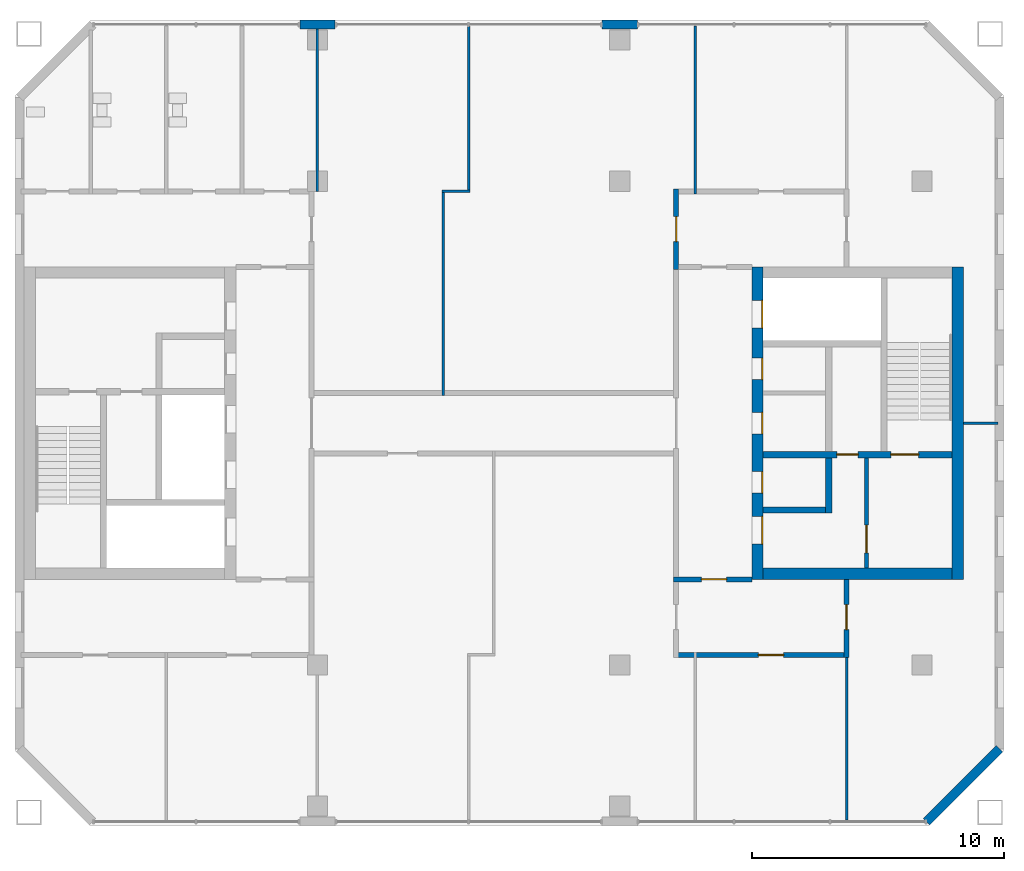
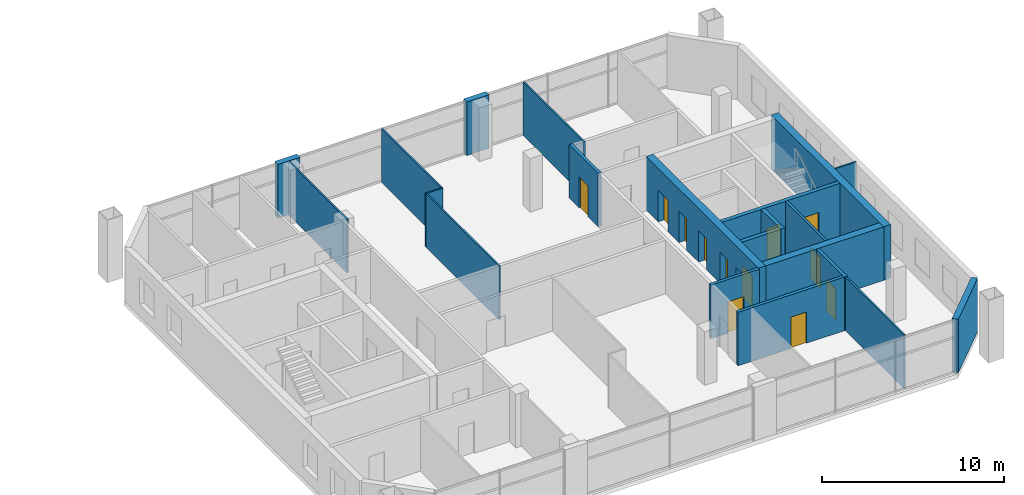
# One storey, part 15 of 19: 21 walls, 12 doors, 12 openings.
"""IFC4 building model written with IfcOpenShell, lengths in metres."""

from ifc_helpers import new_model, si_unit, direction, frame, frame_2d, origin, place, context, subcontext, project, spatial, rectangle, extrude, material, layer, layer_set, type_object, element, fill, save


model = new_model("IFC4")

# Units and contexts
model_context = context("Model", 3, precision=1e-05, world=origin(), true_north=direction((0.0, 1.0)))
body_context = subcontext(model_context, "Body", "Model", "MODEL_VIEW")
ifc_project = project(units=[si_unit("LENGTHUNIT", "METRE"), si_unit("AREAUNIT", "SQUARE_METRE"), si_unit("VOLUMEUNIT", "CUBIC_METRE"), si_unit("PLANEANGLEUNIT", "RADIAN"), si_unit("MASSUNIT", "GRAM", prefix="KILO")], contexts=[model_context])

# Site, building, storey
site_placement = place(None, origin())
site = spatial("IfcSite", under=ifc_project, at=site_placement, CompositionType="ELEMENT")
building_placement = place(site_placement, origin())
building = spatial("IfcBuilding", under=site, at=building_placement, Name="Tuart Gate Housing", CompositionType="ELEMENT")
storey_placement = place(building_placement, frame((0.0, 0.0, 171.60009765625)))
storey = spatial("IfcBuildingStorey", under=building, at=storey_placement, Name="L48", CompositionType="ELEMENT", Elevation=171.60009765625)

# Walls
ifc_material_1 = material(Name="Brick", Category="masonry")
ifc_layer_1 = layer(ifc_material_1, 0.360107421875)
ifc_layer_set_1 = layer_set([ifc_layer_1], Name="Brick pier and spandrel wall 360")
wall_type_1 = type_object("IfcWallType", Name="Brick pier and spandrel wall 360", PredefinedType="STANDARD", material=ifc_layer_set_1)
wall_1_placement = place(storey_placement, frame((167.17529296875, 54.179931640625, 0.0), z_axis=(0.0, 0.0, 1.0), x_axis=(0.707106781187, 0.707106781187, 0.0)))
element("IfcWall", 1, at=wall_1_placement, inside=storey, type_object=wall_type_1, Name="External wall B-SE L48", PredefinedType="STANDARD", context=body_context, shape_type="SweptSolid", body=[
    extrude(rectangle(XDim=4.09375, YDim=0.360107421875, at=frame_2d((2.046875, 0.0))), origin(), (0.0, 0.0, 1.0), 3.599853515625),
])
for number, where, z_axis, x_axis, name in (
    (2, (155.699951171875, 85.820068359375, 0.0), (0.0, 0.0, 1.0), (-1.0, 0.0, 0.0), "External wall B-N L48"),
    (3, (143.699951171875, 85.820068359375, 0.0), (0.0, 0.0, 1.0), (-1.0, 0.0, 0.0), "External wall B-N L48"),
):
    element("IfcWall", number, at=place(storey_placement, frame(where, z_axis=z_axis, x_axis=x_axis)), inside=storey, type_object=wall_type_1, Name=name, PredefinedType="STANDARD", context=body_context, shape_type="SweptSolid", body=[
        extrude(rectangle(XDim=1.39990234375, YDim=0.360107421875, at=frame_2d((0.699951171875, 0.0))), origin(), (0.0, 0.0, 1.0), 3.599853515625),
    ])

# Wall, opening, door
ifc_material_2 = material(Name="Plasterboard partition")
ifc_layer_2 = layer(ifc_material_2, 0.14990234375)
ifc_layer_set_2 = layer_set([ifc_layer_2], Name="Core partition 150")
wall_type_2 = type_object("IfcWallType", Name="Core partition 150", PredefinedType="PARTITIONING", material=ifc_layer_set_2)
wall_2_placement = place(storey_placement, frame((164.7900390625, 68.625, 0.0), z_axis=(0.0, 0.0, 1.0), x_axis=(0.0, -1.0, 0.0)))
wall_2 = element("IfcWall", 4, at=wall_2_placement, inside=storey, type_object=wall_type_2, Name="Core partition BK.7", PredefinedType="PARTITIONING", context=body_context, shape_type="SweptSolid", body=[
    extrude(rectangle(XDim=4.375, YDim=0.14990234375, at=frame_2d((2.1875, 0.0))), origin(), (0.0, 0.0, 1.0), 3.599853515625),
])
opening_1_placement = place(wall_2_placement, frame((2.675048828125, 0.0, 0.0)))
opening_1 = element("IfcOpeningElement", 5, at=opening_1_placement, cuts=wall_2, Name="Opening D267", PredefinedType="OPENING", context=body_context, shape_type="SweptSolid", body=[
    extrude(rectangle(XDim=1.10009765625, YDim=2.10009765625, at=frame_2d((0.550048828125, 1.050048828125))), frame((0.0, 0.0849609375, 0.0), z_axis=(0.0, -1.0, 0.0), x_axis=(1.0, 0.0, 0.0)), (0.0, 0.0, 1.0), 0.169921875),
])
ifc_material_3 = material(Name="Steel fire door", Category="steel")
door_type_1 = type_object("IfcDoorType", Name="Lobby door 1100 x 2100 RH", OperationType="SINGLE_SWING_RIGHT", PredefinedType="DOOR", material=ifc_material_3)
door_1_placement = place(opening_1_placement, origin())
door_1 = element("IfcDoor", 6, at=door_1_placement, inside=storey, type_object=door_type_1, Name="Smoke lobby door BK.KD", OperationType="SINGLE_SWING_RIGHT", OverallHeight=2.10009765625, OverallWidth=1.10009765625, PredefinedType="DOOR", context=body_context, shape_type="SweptSolid", body=[
    extrude(rectangle(XDim=1.10009765625, YDim=2.10009765625, at=frame_2d((0.550048828125, 1.050048828125))), frame((0.0, 0.02490234375, 0.0), z_axis=(0.0, -1.0, 0.0), x_axis=(1.0, 0.0, 0.0)), (0.0, 0.0, 1.0), 0.050048828125),
])
fill(opening_1, door_1)

# Wall, openings, doors
ifc_material_4 = material(Name="Concrete C40", Category="concrete")
ifc_layer_3 = layer(ifc_material_4, 0.25)
ifc_layer_set_3 = layer_set([ifc_layer_3], Name="Core wall 250 C40")
wall_type_3 = type_object("IfcWallType", Name="Core wall 250 C40", PredefinedType="SHEAR", material=ifc_layer_set_3)
wall_3_placement = place(storey_placement, frame((160.68994140625, 68.75, 0.0), z_axis=(0.0, 0.0, 1.0), x_axis=(1.0, 0.0, 0.0)))
wall_3 = element("IfcWall", 7, at=wall_3_placement, inside=storey, type_object=wall_type_3, Name="Core wall BK.3", PredefinedType="SHEAR", context=body_context, shape_type="SweptSolid", body=[
    extrude(rectangle(XDim=7.5, YDim=0.25, at=frame_2d((3.75, 0.0))), origin(), (0.0, 0.0, 1.0), 3.599853515625),
])
opening_2_placement = place(wall_3_placement, frame((5.074951171875, 0.0, 0.0)))
opening_2 = element("IfcOpeningElement", 8, at=opening_2_placement, cuts=wall_3, Name="Opening D266", PredefinedType="OPENING", context=body_context, shape_type="SweptSolid", body=[
    extrude(rectangle(XDim=1.10009765625, YDim=2.10009765625, at=frame_2d((0.550048828125, 1.050048828125))), frame((0.0, 0.135009765625, 0.0), z_axis=(0.0, -1.0, 0.0), x_axis=(1.0, 0.0, 0.0)), (0.0, 0.0, 1.0), 0.27001953125),
])
opening_3_placement = place(wall_3_placement, frame((2.925048828125, 0.0, 0.0)))
opening_3 = element("IfcOpeningElement", 9, at=opening_3_placement, cuts=wall_3, Name="Opening D265", PredefinedType="OPENING", context=body_context, shape_type="SweptSolid", body=[
    extrude(rectangle(XDim=0.85009765625, YDim=2.10009765625, at=frame_2d((0.425048828125, 1.050048828125))), frame((0.0, 0.135009765625, 0.0), z_axis=(0.0, -1.0, 0.0), x_axis=(1.0, 0.0, 0.0)), (0.0, 0.0, 1.0), 0.27001953125),
])
ifc_material_5 = material(Name="Steel fire door", Category="steel")
door_type_2 = type_object("IfcDoorType", Name="Riser door 850 x 2100", OperationType="SINGLE_SWING_LEFT", PredefinedType="DOOR", material=ifc_material_5)
door_2_placement = place(opening_3_placement, origin())
door_2 = element("IfcDoor", 10, at=door_2_placement, inside=storey, type_object=door_type_2, Name="Service room door BK.W1", OperationType="SINGLE_SWING_LEFT", OverallHeight=2.10009765625, OverallWidth=0.85009765625, PredefinedType="DOOR", context=body_context, shape_type="SweptSolid", body=[
    extrude(rectangle(XDim=0.85009765625, YDim=2.10009765625, at=frame_2d((0.425048828125, 1.050048828125))), frame((0.0, 0.02490234375, 0.0), z_axis=(0.0, -1.0, 0.0), x_axis=(1.0, 0.0, 0.0)), (0.0, 0.0, 1.0), 0.050048828125),
])
fill(opening_3, door_2)
ifc_material_6 = material(Name="Steel fire door", Category="steel")
door_type_3 = type_object("IfcDoorType", Name="Stair door 1100 x 2100", OperationType="SINGLE_SWING_LEFT", PredefinedType="DOOR", material=ifc_material_6)
door_3_placement = place(opening_2_placement, origin())
door_3 = element("IfcDoor", 11, at=door_3_placement, inside=storey, type_object=door_type_3, Name="Stair door BK.SD", OperationType="SINGLE_SWING_LEFT", OverallHeight=2.10009765625, OverallWidth=1.10009765625, PredefinedType="DOOR", context=body_context, shape_type="SweptSolid", body=[
    extrude(rectangle(XDim=1.10009765625, YDim=2.10009765625, at=frame_2d((0.550048828125, 1.050048828125))), frame((0.0, 0.02490234375, 0.0), z_axis=(0.0, -1.0, 0.0), x_axis=(1.0, 0.0, 0.0)), (0.0, 0.0, 1.0), 0.050048828125),
])
fill(opening_2, door_3)

# Walls
wall_4_placement = place(storey_placement, frame((160.68994140625, 66.550048828125, 0.0), z_axis=(0.0, 0.0, 1.0), x_axis=(1.0, 0.0, 0.0)))
element("IfcWall", 12, at=wall_4_placement, inside=storey, type_object=wall_type_3, Name="Core wall BK.4", PredefinedType="SHEAR", context=body_context, shape_type="SweptSolid", body=[
    extrude(rectangle(XDim=2.47509765625, YDim=0.25, at=frame_2d((1.237548828125, 0.0))), origin(), (0.0, 0.0, 1.0), 3.599853515625),
])
wall_5_placement = place(storey_placement, frame((163.2900390625, 68.625, 0.0), z_axis=(0.0, 0.0, 1.0), x_axis=(0.0, -1.0, 0.0)))
element("IfcWall", 13, at=wall_5_placement, inside=storey, type_object=wall_type_3, Name="Core wall BK.6", PredefinedType="SHEAR", context=body_context, shape_type="SweptSolid", body=[
    extrude(rectangle(XDim=2.199951171875, YDim=0.25, at=frame_2d((1.10009765625, 0.0))), origin(), (0.0, 0.0, 1.0), 3.599853515625),
])

# Wall, openings, doors
ifc_material_7 = material(Name="Concrete C40", Category="concrete")
ifc_layer_4 = layer(ifc_material_7, 0.449951171875)
ifc_layer_set_4 = layer_set([ifc_layer_4], Name="Core wall 450 C40")
wall_type_4 = type_object("IfcWallType", Name="Core wall 450 C40", PredefinedType="SHEAR", material=ifc_layer_set_4)
wall_6_placement = place(storey_placement, frame((160.465087890625, 76.199951171875, 0.0), z_axis=(0.0, 0.0, 1.0), x_axis=(0.0, -1.0, 0.0)))
wall_6 = element("IfcWall", 14, at=wall_6_placement, inside=storey, type_object=wall_type_4, Name="Core wall BK front", PredefinedType="SHEAR", context=body_context, shape_type="SweptSolid", body=[
    extrude(rectangle(XDim=12.39990234375, YDim=0.449951171875, at=frame_2d((6.199951171875, 0.0))), origin(), (0.0, 0.0, 1.0), 3.599853515625),
])
opening_4_placement = place(wall_6_placement, frame((1.324951171875, 0.0, 0.0)))
opening_4 = element("IfcOpeningElement", 15, at=opening_4_placement, cuts=wall_6, Name="Opening LD-FB2", PredefinedType="OPENING", context=body_context, shape_type="SweptSolid", body=[
    extrude(rectangle(XDim=1.10009765625, YDim=2.10009765625, at=frame_2d((0.550048828125, 1.050048828125))), frame((0.0, 0.23486328125, 0.0), z_axis=(0.0, -1.0, 0.0), x_axis=(1.0, 0.0, 0.0)), (0.0, 0.0, 1.0), 0.469970703125),
])
opening_5_placement = place(wall_6_placement, frame((3.625, 0.0, 0.0)))
opening_5 = element("IfcOpeningElement", 16, at=opening_5_placement, cuts=wall_6, Name="Opening D261", PredefinedType="OPENING", context=body_context, shape_type="SweptSolid", body=[
    extrude(rectangle(XDim=0.85009765625, YDim=2.10009765625, at=frame_2d((0.425048828125, 1.050048828125))), frame((0.0, 0.23486328125, 0.0), z_axis=(0.0, -1.0, 0.0), x_axis=(1.0, 0.0, 0.0)), (0.0, 0.0, 1.0), 0.469970703125),
])
opening_6_placement = place(wall_6_placement, frame((5.77490234375, 0.0, 0.0)))
opening_6 = element("IfcOpeningElement", 17, at=opening_6_placement, cuts=wall_6, Name="Opening D262", PredefinedType="OPENING", context=body_context, shape_type="SweptSolid", body=[
    extrude(rectangle(XDim=0.85009765625, YDim=2.10009765625, at=frame_2d((0.425048828125, 1.050048828125))), frame((0.0, 0.23486328125, 0.0), z_axis=(0.0, -1.0, 0.0), x_axis=(1.0, 0.0, 0.0)), (0.0, 0.0, 1.0), 0.469970703125),
])
opening_7_placement = place(wall_6_placement, frame((9.89990234375, 0.0, 0.0)))
opening_7 = element("IfcOpeningElement", 18, at=opening_7_placement, cuts=wall_6, Name="Opening D260", PredefinedType="OPENING", context=body_context, shape_type="SweptSolid", body=[
    extrude(rectangle(XDim=1.10009765625, YDim=2.10009765625, at=frame_2d((0.550048828125, 1.050048828125))), frame((0.0, 0.23486328125, 0.0), z_axis=(0.0, -1.0, 0.0), x_axis=(1.0, 0.0, 0.0)), (0.0, 0.0, 1.0), 0.469970703125),
])
opening_8_placement = place(wall_6_placement, frame((8.125, 0.0, 0.0)))
opening_8 = element("IfcOpeningElement", 19, at=opening_8_placement, cuts=wall_6, Name="Opening D263", PredefinedType="OPENING", context=body_context, shape_type="SweptSolid", body=[
    extrude(rectangle(XDim=0.85009765625, YDim=2.10009765625, at=frame_2d((0.425048828125, 1.050048828125))), frame((0.0, 0.23486328125, 0.0), z_axis=(0.0, -1.0, 0.0), x_axis=(1.0, 0.0, 0.0)), (0.0, 0.0, 1.0), 0.469970703125),
])
ifc_material_8 = material(Name="Stainless steel", Category="steel")
door_type_4 = type_object("IfcDoorType", Name="Landing door 1100 x 2100", OperationType="DOUBLE_DOOR_SLIDING", PredefinedType="DOOR", material=ifc_material_8)
door_4_placement = place(opening_4_placement, origin())
door_4 = element("IfcDoor", 20, at=door_4_placement, inside=storey, type_object=door_type_4, Name="Lift landing door FB2", OperationType="DOUBLE_DOOR_SLIDING", OverallHeight=2.10009765625, OverallWidth=1.10009765625, PredefinedType="DOOR", context=body_context, shape_type="SweptSolid", body=[
    extrude(rectangle(XDim=1.10009765625, YDim=2.10009765625, at=frame_2d((0.550048828125, 1.050048828125))), frame((0.0, 0.2099609375, 0.0), z_axis=(0.0, -1.0, 0.0), x_axis=(1.0, 0.0, 0.0)), (0.0, 0.0, 1.0), 0.050048828125),
])
fill(opening_4, door_4)
ifc_material_9 = material(Name="Steel fire door", Category="steel")
door_type_5 = type_object("IfcDoorType", Name="Lobby door 1100 x 2100", OperationType="SINGLE_SWING_LEFT", PredefinedType="DOOR", material=ifc_material_9)
door_5_placement = place(opening_7_placement, origin())
door_5 = element("IfcDoor", 21, at=door_5_placement, inside=storey, type_object=door_type_5, Name="Lobby entry door BK.EN", OperationType="SINGLE_SWING_LEFT", OverallHeight=2.10009765625, OverallWidth=1.10009765625, PredefinedType="DOOR", context=body_context, shape_type="SweptSolid", body=[
    extrude(rectangle(XDim=1.10009765625, YDim=2.10009765625, at=frame_2d((0.550048828125, 1.050048828125))), frame((0.0, 0.2099609375, 0.0), z_axis=(0.0, -1.0, 0.0), x_axis=(1.0, 0.0, 0.0)), (0.0, 0.0, 1.0), 0.050048828125),
])
fill(opening_7, door_5)
ifc_material_10 = material(Name="Steel fire door", Category="steel")
door_type_6 = type_object("IfcDoorType", Name="Service door 850 x 2100", OperationType="SINGLE_SWING_LEFT", PredefinedType="DOOR", material=ifc_material_10)
door_6_placement = place(opening_5_placement, origin())
door_6 = element("IfcDoor", 22, at=door_6_placement, inside=storey, type_object=door_type_6, Name="Service room door BK.FR1", OperationType="SINGLE_SWING_LEFT", OverallHeight=2.10009765625, OverallWidth=0.85009765625, PredefinedType="DOOR", context=body_context, shape_type="SweptSolid", body=[
    extrude(rectangle(XDim=0.85009765625, YDim=2.10009765625, at=frame_2d((0.425048828125, 1.050048828125))), frame((0.0, 0.2099609375, 0.0), z_axis=(0.0, -1.0, 0.0), x_axis=(1.0, 0.0, 0.0)), (0.0, 0.0, 1.0), 0.050048828125),
])
fill(opening_5, door_6)
door_7_placement = place(opening_6_placement, origin())
door_7 = element("IfcDoor", 23, at=door_7_placement, inside=storey, type_object=door_type_6, Name="Service room door BK.FR2", OperationType="SINGLE_SWING_LEFT", OverallHeight=2.10009765625, OverallWidth=0.85009765625, PredefinedType="DOOR", context=body_context, shape_type="SweptSolid", body=[
    extrude(rectangle(XDim=0.85009765625, YDim=2.10009765625, at=frame_2d((0.425048828125, 1.050048828125))), frame((0.0, 0.2099609375, 0.0), z_axis=(0.0, -1.0, 0.0), x_axis=(1.0, 0.0, 0.0)), (0.0, 0.0, 1.0), 0.050048828125),
])
fill(opening_6, door_7)
door_8_placement = place(opening_8_placement, origin())
door_8 = element("IfcDoor", 24, at=door_8_placement, inside=storey, type_object=door_type_6, Name="Service room door BK.T1", OperationType="SINGLE_SWING_LEFT", OverallHeight=2.10009765625, OverallWidth=0.85009765625, PredefinedType="DOOR", context=body_context, shape_type="SweptSolid", body=[
    extrude(rectangle(XDim=0.85009765625, YDim=2.10009765625, at=frame_2d((0.425048828125, 1.050048828125))), frame((0.0, 0.2099609375, 0.0), z_axis=(0.0, -1.0, 0.0), x_axis=(1.0, 0.0, 0.0)), (0.0, 0.0, 1.0), 0.050048828125),
])
fill(opening_8, door_8)

# Walls
wall_7_placement = place(storey_placement, frame((168.4150390625, 76.199951171875, 0.0), z_axis=(0.0, 0.0, 1.0), x_axis=(0.0, -1.0, 0.0)))
element("IfcWall", 25, at=wall_7_placement, inside=storey, type_object=wall_type_4, Name="Core wall BK back", PredefinedType="SHEAR", context=body_context, shape_type="SweptSolid", body=[
    extrude(rectangle(XDim=12.39990234375, YDim=0.449951171875, at=frame_2d((6.199951171875, 0.0))), origin(), (0.0, 0.0, 1.0), 3.599853515625),
])
wall_8_placement = place(storey_placement, frame((160.68994140625, 64.02490234375, 0.0), z_axis=(0.0, 0.0, 1.0), x_axis=(1.0, 0.0, 0.0)))
element("IfcWall", 26, at=wall_8_placement, inside=storey, type_object=wall_type_4, Name="Core wall BK north", PredefinedType="SHEAR", context=body_context, shape_type="SweptSolid", body=[
    extrude(rectangle(XDim=7.5, YDim=0.449951171875, at=frame_2d((3.75, 0.0))), origin(), (0.0, 0.0, 1.0), 3.599853515625),
])

# Wall, opening, door
ifc_material_11 = material(Name="Concrete masonry 15 MPa", Category="masonry")
ifc_layer_5 = layer(ifc_material_11, 0.199951171875)
ifc_layer_set_5 = layer_set([ifc_layer_5], Name="Corridor wall masonry 200")
wall_type_5 = type_object("IfcWallType", Name="Corridor wall masonry 200", PredefinedType="PARTITIONING", material=ifc_layer_set_5)
wall_9_placement = place(storey_placement, frame((157.139892578125, 60.800048828125, 0.0), z_axis=(0.0, 0.0, 1.0), x_axis=(1.0, 0.0, 0.0)))
wall_9 = element("IfcWall", 27, at=wall_9_placement, inside=storey, type_object=wall_type_5, Name="Corridor wall masonry 200", PredefinedType="PARTITIONING", context=body_context, shape_type="SweptSolid", body=[
    extrude(rectangle(XDim=6.960205078125, YDim=0.199951171875, at=frame_2d((3.47998046875, 0.0))), origin(), (0.0, 0.0, 1.0), 3.599853515625),
])
opening_9_placement = place(wall_9_placement, frame((3.360107421875, 0.0, 0.0)))
opening_9 = element("IfcOpeningElement", 28, at=opening_9_placement, cuts=wall_9, Name="Opening D274", PredefinedType="OPENING", context=body_context, shape_type="SweptSolid", body=[
    extrude(rectangle(XDim=1.0, YDim=2.10009765625, at=frame_2d((0.5, 1.050048828125))), frame((0.0, 0.10986328125, 0.0), z_axis=(0.0, -1.0, 0.0), x_axis=(1.0, 0.0, 0.0)), (0.0, 0.0, 1.0), 0.219970703125),
])
ifc_material_12 = material(Name="Timber door leaf in steel frame", Category="steel")
door_type_7 = type_object("IfcDoorType", Name="Fire door 1000 RH", OperationType="SINGLE_SWING_RIGHT", PredefinedType="DOOR", material=ifc_material_12)
door_9_placement = place(opening_9_placement, frame((1.0, 0.0, 0.0), z_axis=(0.0, 0.0, 1.0), x_axis=(-1.0, 0.0, 0.0)))
door_9 = element("IfcDoor", 29, at=door_9_placement, inside=storey, type_object=door_type_7, Name="Fire door 1000", OperationType="SINGLE_SWING_RIGHT", OverallHeight=2.10009765625, OverallWidth=1.0, PredefinedType="DOOR", context=body_context, shape_type="SweptSolid", body=[
    extrude(rectangle(XDim=1.0, YDim=2.10009765625, at=frame_2d((0.5, 1.050048828125))), frame((0.0, 0.025146484375, 0.0), z_axis=(0.0, -1.0, 0.0), x_axis=(1.0, 0.0, 0.0)), (0.0, 0.0, 1.0), 0.050048828125),
])
fill(opening_9, door_9)

wall_10_placement = place(storey_placement, frame((157.239990234375, 76.10009765625, 0.0), z_axis=(0.0, 0.0, 1.0), x_axis=(0.0, 1.0, 0.0)))
wall_10 = element("IfcWall", 30, at=wall_10_placement, inside=storey, type_object=wall_type_5, Name="Corridor wall masonry 200", PredefinedType="PARTITIONING", context=body_context, shape_type="SweptSolid", body=[
    extrude(rectangle(XDim=3.199951171875, YDim=0.199951171875, at=frame_2d((1.60009765625, 0.0))), origin(), (0.0, 0.0, 1.0), 3.599853515625),
])
opening_10_placement = place(wall_10_placement, frame((1.10009765625, 0.0, 0.0)))
opening_10 = element("IfcOpeningElement", 31, at=opening_10_placement, cuts=wall_10, Name="Opening D251", PredefinedType="OPENING", context=body_context, shape_type="SweptSolid", body=[
    extrude(rectangle(XDim=1.0, YDim=2.10009765625, at=frame_2d((0.5, 1.050048828125))), frame((0.0, 0.10986328125, 0.0), z_axis=(0.0, -1.0, 0.0), x_axis=(1.0, 0.0, 0.0)), (0.0, 0.0, 1.0), 0.219970703125),
])
ifc_material_13 = material(Name="Timber door leaf in steel frame", Category="steel")
door_type_8 = type_object("IfcDoorType", Name="Fire door 1000", OperationType="SINGLE_SWING_LEFT", PredefinedType="DOOR", material=ifc_material_13)
door_10_placement = place(opening_10_placement, origin())
door_10 = element("IfcDoor", 32, at=door_10_placement, inside=storey, type_object=door_type_8, Name="Fire door 1000", OperationType="SINGLE_SWING_LEFT", OverallHeight=2.10009765625, OverallWidth=1.0, PredefinedType="DOOR", context=body_context, shape_type="SweptSolid", body=[
    extrude(rectangle(XDim=1.0, YDim=2.10009765625, at=frame_2d((0.5, 1.050048828125))), frame((0.0, 0.02490234375, 0.0), z_axis=(0.0, -1.0, 0.0), x_axis=(1.0, 0.0, 0.0)), (0.0, 0.0, 1.0), 0.050048828125),
])
fill(opening_10, door_10)

wall_11_placement = place(storey_placement, frame((164.0, 60.697998046875, 0.0), z_axis=(0.0, 0.0, 1.0), x_axis=(0.0, 1.0, 0.0)))
wall_11 = element("IfcWall", 33, at=wall_11_placement, inside=storey, type_object=wall_type_5, Name="Corridor wall masonry 200", PredefinedType="PARTITIONING", context=body_context, shape_type="SweptSolid", body=[
    extrude(rectangle(XDim=3.10205078125, YDim=0.199951171875, at=frame_2d((1.551025390625, 0.0))), origin(), (0.0, 0.0, 1.0), 3.599853515625),
])
opening_11_placement = place(wall_11_placement, frame((1.10107421875, 0.0, 0.0)))
opening_11 = element("IfcOpeningElement", 34, at=opening_11_placement, cuts=wall_11, Name="Opening D271", PredefinedType="OPENING", context=body_context, shape_type="SweptSolid", body=[
    extrude(rectangle(XDim=1.0, YDim=2.10009765625, at=frame_2d((0.5, 1.050048828125))), frame((0.0, 0.10986328125, 0.0), z_axis=(0.0, -1.0, 0.0), x_axis=(1.0, 0.0, 0.0)), (0.0, 0.0, 1.0), 0.219970703125),
])
door_11_placement = place(opening_11_placement, frame((1.0, 0.0, 0.0), z_axis=(0.0, 0.0, 1.0), x_axis=(-1.0, 0.0, 0.0)))
door_11 = element("IfcDoor", 35, at=door_11_placement, inside=storey, type_object=door_type_8, Name="Fire door 1000", OperationType="SINGLE_SWING_LEFT", OverallHeight=2.10009765625, OverallWidth=1.0, PredefinedType="DOOR", context=body_context, shape_type="SweptSolid", body=[
    extrude(rectangle(XDim=1.0, YDim=2.10009765625, at=frame_2d((0.5, 1.050048828125))), frame((0.0, 0.025146484375, 0.0), z_axis=(0.0, -1.0, 0.0), x_axis=(1.0, 0.0, 0.0)), (0.0, 0.0, 1.0), 0.050048828125),
])
fill(opening_11, door_11)

ifc_material_14 = material(Name="Concrete masonry 15 MPa", Category="masonry")
ifc_layer_6 = layer(ifc_material_14, 0.199951171875)
ifc_layer_set_6 = layer_set([ifc_layer_6], Name="Enclosure wall masonry 200")
wall_type_6 = type_object("IfcWallType", Name="Enclosure wall masonry 200", PredefinedType="PARTITIONING", material=ifc_layer_set_6)
wall_12_placement = place(storey_placement, frame((157.139892578125, 63.800048828125, 0.0), z_axis=(0.0, 0.0, 1.0), x_axis=(1.0, 0.0, 0.0)))
wall_12 = element("IfcWall", 36, at=wall_12_placement, inside=storey, type_object=wall_type_6, Name="Enclosure wall masonry 200", PredefinedType="PARTITIONING", context=body_context, shape_type="SweptSolid", body=[
    extrude(rectangle(XDim=3.10009765625, YDim=0.199951171875, at=frame_2d((1.550048828125, 0.0))), origin(), (0.0, 0.0, 1.0), 3.599853515625),
])
opening_12_placement = place(wall_12_placement, frame((1.10009765625, 0.0, 0.0)))
opening_12 = element("IfcOpeningElement", 37, at=opening_12_placement, cuts=wall_12, Name="Opening D269", PredefinedType="OPENING", context=body_context, shape_type="SweptSolid", body=[
    extrude(rectangle(XDim=1.0, YDim=2.10009765625, at=frame_2d((0.5, 1.050048828125))), frame((0.0, 0.10986328125, 0.0), z_axis=(0.0, -1.0, 0.0), x_axis=(1.0, 0.0, 0.0)), (0.0, 0.0, 1.0), 0.219970703125),
])
ifc_material_15 = material(Name="Timber door leaf in steel frame", Category="steel")
door_type_9 = type_object("IfcDoorType", Name="Lobby door 1000", OperationType="SINGLE_SWING_LEFT", PredefinedType="DOOR", material=ifc_material_15)
door_12_placement = place(opening_12_placement, origin())
door_12 = element("IfcDoor", 38, at=door_12_placement, inside=storey, type_object=door_type_9, Name="Lobby door 1000", OperationType="SINGLE_SWING_LEFT", OverallHeight=2.10009765625, OverallWidth=1.0, PredefinedType="DOOR", context=body_context, shape_type="SweptSolid", body=[
    extrude(rectangle(XDim=1.0, YDim=2.10009765625, at=frame_2d((0.5, 1.050048828125))), frame((0.0, 0.02490234375, 0.0), z_axis=(0.0, -1.0, 0.0), x_axis=(1.0, 0.0, 0.0)), (0.0, 0.0, 1.0), 0.050048828125),
])
fill(opening_12, door_12)

# Walls
ifc_material_16 = material(Name="Gypsum board on steel studs", Category="steel")
ifc_layer_7 = layer(ifc_material_16, 0.10009765625)
ifc_layer_set_7 = layer_set([ifc_layer_7], Name="Partition 100")
wall_type_7 = type_object("IfcWallType", Name="Partition 100", PredefinedType="PARTITIONING", material=ifc_layer_set_7)
wall_13_placement = place(storey_placement, frame((168.639892578125, 70.0, 0.0), z_axis=(0.0, 0.0, 1.0), x_axis=(1.0, 0.0, 0.0)))
element("IfcWall", 39, at=wall_13_placement, inside=storey, type_object=wall_type_7, Name="Partition 100", PredefinedType="PARTITIONING", context=body_context, shape_type="SweptSolid", body=[
    extrude(rectangle(XDim=1.3701171875, YDim=0.10009765625, at=frame_2d((0.68505859375, 0.0))), origin(), (0.0, 0.0, 1.0), 3.599853515625),
])
wall_14_placement = place(storey_placement, frame((147.949951171875, 79.199951171875, 0.0), z_axis=(0.0, 0.0, 1.0), x_axis=(1.0, 0.0, 0.0)))
element("IfcWall", 40, at=wall_14_placement, inside=storey, type_object=wall_type_7, Name="Partition 100", PredefinedType="PARTITIONING", context=body_context, shape_type="SweptSolid", body=[
    extrude(rectangle(XDim=1.10009765625, YDim=0.10009765625, at=frame_2d((0.550048828125, 0.0))), origin(), (0.0, 0.0, 1.0), 3.599853515625),
])
wall_15_placement = place(storey_placement, frame((143.0, 79.199951171875, 0.0), z_axis=(0.0, 0.0, 1.0), x_axis=(0.0, 1.0, 0.0)))
element("IfcWall", 41, at=wall_15_placement, inside=storey, type_object=wall_type_7, Name="Partition 100", PredefinedType="PARTITIONING", context=body_context, shape_type="SweptSolid", body=[
    extrude(rectangle(XDim=6.56005859375, YDim=0.10009765625, at=frame_2d((3.280029296875, 0.0))), origin(), (0.0, 0.0, 1.0), 3.599853515625),
])
wall_16_placement = place(storey_placement, frame((148.0, 71.10009765625, 0.0), z_axis=(0.0, 0.0, 1.0), x_axis=(0.0, 1.0, 0.0)))
element("IfcWall", 42, at=wall_16_placement, inside=storey, type_object=wall_type_7, Name="Partition 100", PredefinedType="PARTITIONING", context=body_context, shape_type="SweptSolid", body=[
    extrude(rectangle(XDim=8.14990234375, YDim=0.10009765625, at=frame_2d((4.074951171875, 0.0))), origin(), (0.0, 0.0, 1.0), 3.599853515625),
])
wall_17_placement = place(storey_placement, frame((149.0, 79.14990234375, 0.0), z_axis=(0.0, 0.0, 1.0), x_axis=(0.0, 1.0, 0.0)))
element("IfcWall", 43, at=wall_17_placement, inside=storey, type_object=wall_type_7, Name="Partition 100", PredefinedType="PARTITIONING", context=body_context, shape_type="SweptSolid", body=[
    extrude(rectangle(XDim=6.610107421875, YDim=0.10009765625, at=frame_2d((3.30517578125, 0.0))), origin(), (0.0, 0.0, 1.0), 3.599853515625),
])
wall_18_placement = place(storey_placement, frame((158.0, 79.10009765625, 0.0), z_axis=(0.0, 0.0, 1.0), x_axis=(0.0, 1.0, 0.0)))
element("IfcWall", 44, at=wall_18_placement, inside=storey, type_object=wall_type_7, Name="Partition 100", PredefinedType="PARTITIONING", context=body_context, shape_type="SweptSolid", body=[
    extrude(rectangle(XDim=6.659912109375, YDim=0.10009765625, at=frame_2d((3.330078125, 0.0))), origin(), (0.0, 0.0, 1.0), 3.599853515625),
])
wall_19_placement = place(storey_placement, frame((164.0, 54.239990234375, 0.0), z_axis=(0.0, 0.0, 1.0), x_axis=(0.0, 1.0, 0.0)))
element("IfcWall", 45, at=wall_19_placement, inside=storey, type_object=wall_type_7, Name="Partition 100", PredefinedType="PARTITIONING", context=body_context, shape_type="SweptSolid", body=[
    extrude(rectangle(XDim=6.662109375, YDim=0.10009765625, at=frame_2d((3.3310546875, 0.0))), origin(), (0.0, 0.0, 1.0), 3.599853515625),
])

save(model, "model.ifc")
